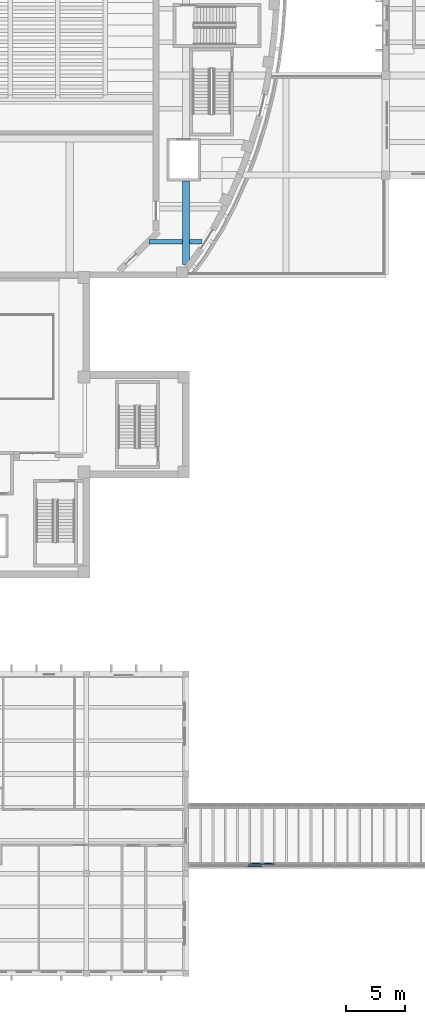
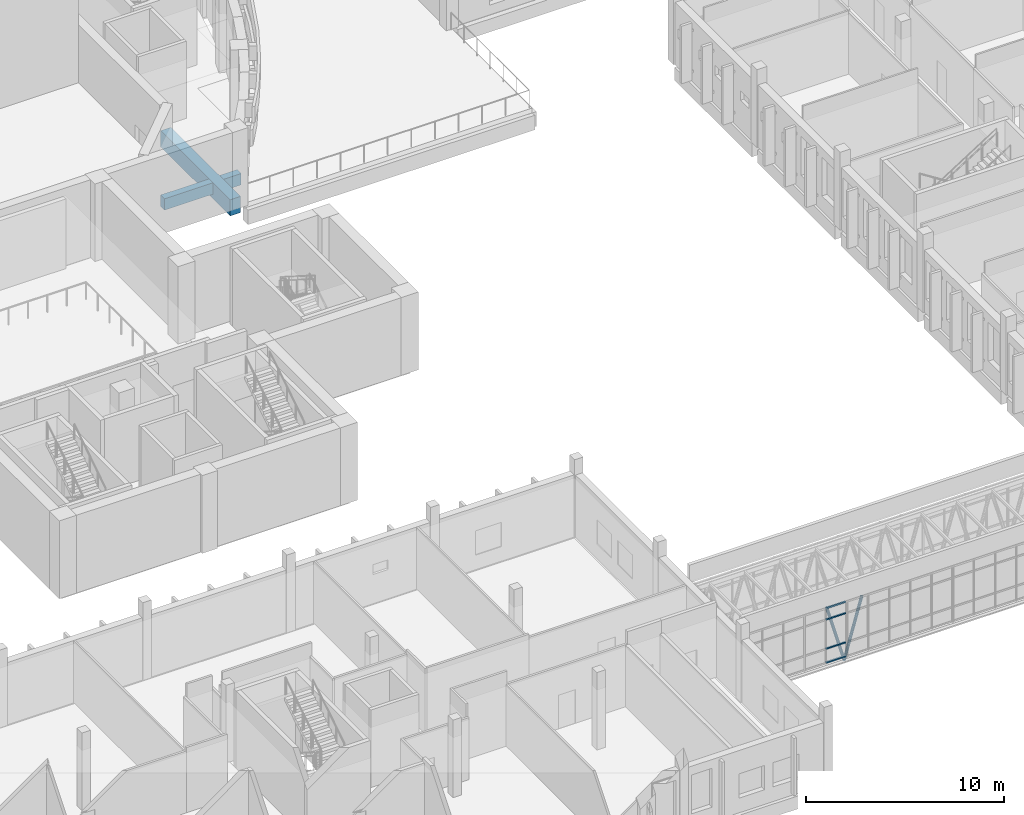
# One storey, part 10 of 119: 6 members, 3 beams, 1 element without a shape of its own.
"""IFC4 building model written with IfcOpenShell, lengths in metres."""

from ifc_helpers import new_model, si_unit, direction, frame, origin, origin_2d, place, context, subcontext, project, spatial, rectangle, hollow_circle, extrude, material, layer, layer_set, material_profile, profile_set, type_object, element, aggregate, save


model = new_model("IFC4")

# Units and contexts
model_context = context("Model", 3, precision=1e-05, world=origin(), true_north=direction((0.0, 1.0)))
body_context = subcontext(model_context, "Body", "Model", "MODEL_VIEW")
ifc_project = project(units=[si_unit("LENGTHUNIT", "METRE"), si_unit("AREAUNIT", "SQUARE_METRE"), si_unit("VOLUMEUNIT", "CUBIC_METRE"), si_unit("PLANEANGLEUNIT", "RADIAN"), si_unit("MASSUNIT", "GRAM", prefix="KILO")], contexts=[model_context])

# Site, building, storey
site_placement = place(None, origin())
site = spatial("IfcSite", under=ifc_project, at=site_placement, CompositionType="ELEMENT")
building_placement = place(site_placement, origin())
building = spatial("IfcBuilding", under=site, at=building_placement, Name="Larchfold Concert Hall", CompositionType="ELEMENT")
storey_placement = place(building_placement, frame((0.0, 0.0, 4.800048828125)))
storey = spatial("IfcBuildingStorey", under=building, at=storey_placement, Name="L01", CompositionType="ELEMENT", Elevation=4.800048828125)

# Curtain wall, members
ifc_material_1 = material(Name="Anodised graphite aluminium curtain wall", Category="aluminium")
ifc_layer = layer(ifc_material_1, 0.14990234375)
ifc_layer_set = layer_set([ifc_layer], Name="Anodised graphite aluminium curtain wall")
curtain_wall_type = type_object("IfcCurtainWallType", Name="Curtain wall WG", PredefinedType="NOTDEFINED", material=ifc_layer_set)
curtain_wall_placement = place(storey_placement, origin())
curtain_wall = element("IfcCurtainWall", 1, at=curtain_wall_placement, inside=storey, type_object=curtain_wall_type, Name="Curtain wall CW0303", PredefinedType="NOTDEFINED")
ifc_material_2 = material(Name="Anodised graphite aluminium transom", Category="aluminium")
ifc_material_profile_1 = material_profile(ifc_material_2, rectangle(XDim=0.10009765625, YDim=0.080078125, at=origin_2d()))
ifc_profile_set_1 = profile_set([ifc_material_profile_1], Name="Anodised graphite aluminium transom")
member_type_1 = type_object("IfcMemberType", Name="Aluminium transom 80x100", PredefinedType="USERDEFINED", material=ifc_profile_set_1)
member_1_placement = place(storey_placement, frame((64.602783203125, 9.626708984375, 0.0400390625), z_axis=(1.0, 0.0, 0.0), x_axis=(0.0, 1.0, 0.0)))
member_1 = element("IfcMember", 2, at=member_1_placement, type_object=member_type_1, Name="CW0303 transom 5.1", ObjectType="TRANSOM", PredefinedType="USERDEFINED", context=body_context, shape_type="SweptSolid", body=[
    extrude(rectangle(XDim=0.10009765625, YDim=0.080078125, at=origin_2d()), origin(), (0.0, 0.0, 1.0), 1.145751953125),
])
member_2_placement = place(storey_placement, frame((64.602783203125, 9.626708984375, 0.89990234375), z_axis=(1.0, 0.0, 0.0), x_axis=(0.0, 1.0, 0.0)))
member_2 = element("IfcMember", 3, at=member_2_placement, type_object=member_type_1, Name="CW0303 transom 5.2", ObjectType="TRANSOM", PredefinedType="USERDEFINED", context=body_context, shape_type="SweptSolid", body=[
    extrude(rectangle(XDim=0.10009765625, YDim=0.080078125, at=origin_2d()), origin(), (0.0, 0.0, 1.0), 1.145751953125),
])
member_3_placement = place(storey_placement, frame((64.602783203125, 9.626708984375, 2.699951171875), z_axis=(1.0, 0.0, 0.0), x_axis=(0.0, 1.0, 0.0)))
member_3 = element("IfcMember", 4, at=member_3_placement, type_object=member_type_1, Name="CW0303 transom 5.3", ObjectType="TRANSOM", PredefinedType="USERDEFINED", context=body_context, shape_type="SweptSolid", body=[
    extrude(rectangle(XDim=0.10009765625, YDim=0.080078125, at=origin_2d()), origin(), (0.0, 0.0, 1.0), 1.145751953125),
])
member_4_placement = place(storey_placement, frame((64.602783203125, 9.626708984375, 3.39990234375), z_axis=(1.0, 0.0, 0.0), x_axis=(0.0, 1.0, 0.0)))
member_4 = element("IfcMember", 5, at=member_4_placement, type_object=member_type_1, Name="CW0303 transom 5.4", ObjectType="TRANSOM", PredefinedType="USERDEFINED", context=body_context, shape_type="SweptSolid", body=[
    extrude(rectangle(XDim=0.10009765625, YDim=0.080078125, at=origin_2d()), origin(), (0.0, 0.0, 1.0), 1.145751953125),
])
aggregate(curtain_wall, [member_1, member_2, member_3, member_4])

# Beams
ifc_material_3 = material(Name="Concrete C35/45", Category="concrete")
ifc_material_profile_2 = material_profile(ifc_material_3, rectangle(XDim=0.39990234375, YDim=0.699951171875, at=origin_2d()))
ifc_profile_set_2 = profile_set([ifc_material_profile_2], Name="Concrete C35/45")
beam_type_1 = type_object("IfcBeamType", Name="Beam RC 400x700", PredefinedType="BEAM", material=ifc_profile_set_2)
beam_1_placement = place(storey_placement, frame((56.26416015625, 62.199951171875, -0.550048828125), z_axis=(1.0, 0.0, 0.0), x_axis=(0.0, 1.0, 0.0)))
element("IfcBeam", 6, at=beam_1_placement, inside=storey, type_object=beam_type_1, Name="Beam B1221", PredefinedType="BEAM", context=body_context, shape_type="SweptSolid", body=[
    extrude(rectangle(XDim=0.39990234375, YDim=0.699951171875, at=origin_2d()), origin(), (0.0, 0.0, 1.0), 2.8359375),
])
beam_2_placement = place(storey_placement, frame((59.699951171875, 62.199951171875, -0.550048828125), z_axis=(1.0, 0.0, 0.0), x_axis=(0.0, 1.0, 0.0)))
element("IfcBeam", 7, at=beam_2_placement, inside=storey, type_object=beam_type_1, Name="Beam B1222", PredefinedType="BEAM", context=body_context, shape_type="SweptSolid", body=[
    extrude(rectangle(XDim=0.39990234375, YDim=0.699951171875, at=origin_2d()), origin(), (0.0, 0.0, 1.0), 1.03515625),
])
ifc_material_4 = material(Name="Concrete C35/45", Category="concrete")
ifc_material_profile_3 = material_profile(ifc_material_4, rectangle(XDim=0.60009765625, YDim=1.0, at=origin_2d()))
ifc_profile_set_3 = profile_set([ifc_material_profile_3], Name="Concrete C35/45")
beam_type_2 = type_object("IfcBeamType", Name="Beam RC 600x1000", PredefinedType="BEAM", material=ifc_profile_set_3)
beam_3_placement = place(storey_placement, frame((59.39990234375, 60.27099609375, -0.699951171875), z_axis=(0.0, 1.0, 0.0), x_axis=(-1.0, 0.0, 0.0)))
element("IfcBeam", 8, at=beam_3_placement, inside=storey, type_object=beam_type_2, Name="Beam B1193", PredefinedType="BEAM", context=body_context, shape_type="SweptSolid", body=[
    extrude(rectangle(XDim=0.60009765625, YDim=1.0, at=origin_2d()), origin(), (0.0, 0.0, 1.0), 7.029052734375),
])

# Members
ifc_material_5 = material(Name="Steel S355J2H", Category="steel")
ifc_material_profile_4 = material_profile(ifc_material_5, hollow_circle(Radius=0.084228515625, WallThickness=0.008056640625, at=origin_2d()))
ifc_profile_set_4 = profile_set([ifc_material_profile_4], Name="Steel S355J2H")
member_type_2 = type_object("IfcMemberType", Name="Link truss web CHS 168.3x8", PredefinedType="BRACE", material=ifc_profile_set_4)
member_5_placement = place(storey_placement, frame((64.75, 9.800048828125, 3.2900390625), z_axis=(0.275013900387, 0.0, -0.961440250143), x_axis=(0.0, 1.0, 0.0)))
element("IfcMember", 9, at=member_5_placement, inside=storey, type_object=member_type_2, Name="Member LB1D06", PredefinedType="BRACE", context=body_context, shape_type="SweptSolid", body=[
    extrude(hollow_circle(Radius=0.084228515625, WallThickness=0.008056640625, at=origin_2d()), origin(), (0.0, 0.0, 1.0), 3.744384765625),
])
member_6_placement = place(storey_placement, frame((65.77978515625, 9.800048828125, -0.31005859375), z_axis=(0.275074167583, 0.0, 0.961423009049), x_axis=(0.0, 1.0, 0.0)))
element("IfcMember", 10, at=member_6_placement, inside=storey, type_object=member_type_2, Name="Member LB1D07", PredefinedType="BRACE", context=body_context, shape_type="SweptSolid", body=[
    extrude(hollow_circle(Radius=0.084228515625, WallThickness=0.008056640625, at=origin_2d()), origin(), (0.0, 0.0, 1.0), 3.74462890625),
])

save(model, "model.ifc")
